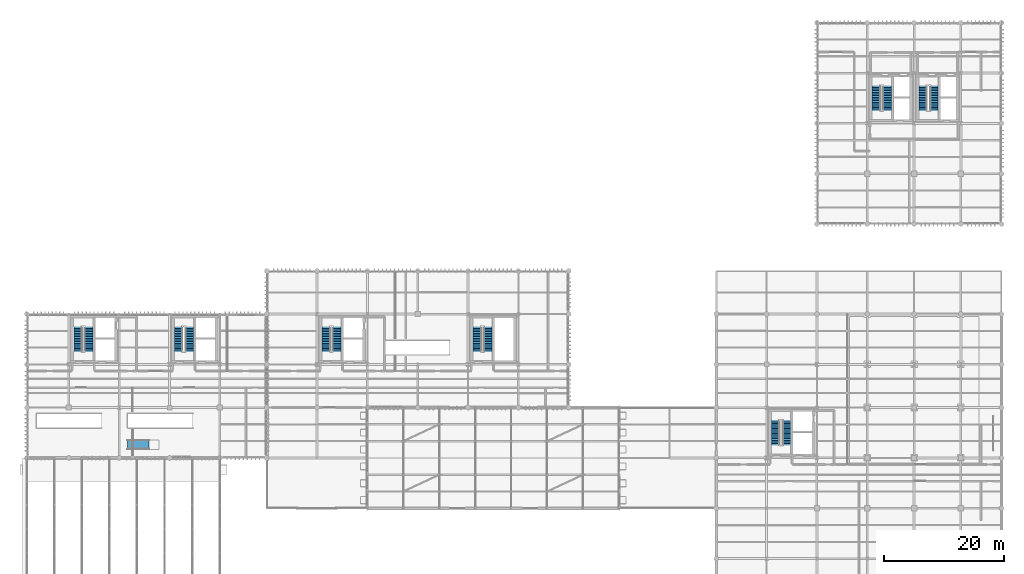
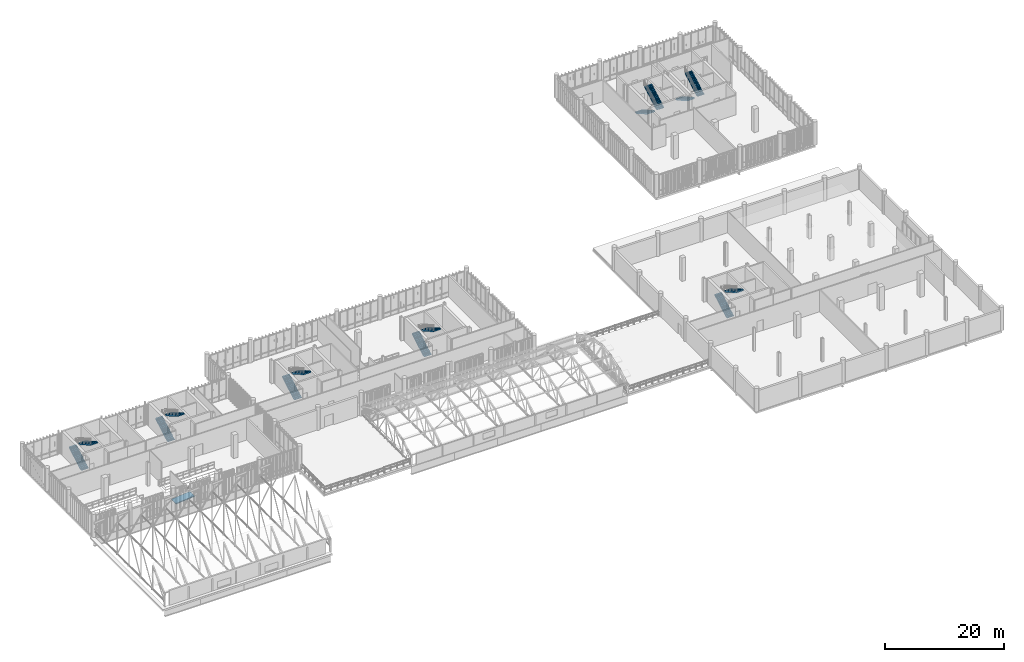
# One storey, part 97 of 109: 14 stair flights, 1 ramp flight, 8 elements without a shape of their own.
"""IFC4 building model written with IfcOpenShell, lengths in metres."""

from ifc_helpers import new_model, si_unit, direction, frame, origin_with_axes, place, context, subcontext, project, spatial, polyline, outline, extrude, material, type_object, element, aggregate, save


model = new_model("IFC4")

# Units and contexts
model_context = context("Model", 3, precision=1e-05, world=origin_with_axes(), true_north=direction((0.0, 1.0)))
body_context = subcontext(model_context, "Body", "Model", "MODEL_VIEW")
ifc_project = project(units=[si_unit("LENGTHUNIT", "METRE"), si_unit("AREAUNIT", "SQUARE_METRE"), si_unit("VOLUMEUNIT", "CUBIC_METRE"), si_unit("PLANEANGLEUNIT", "RADIAN"), si_unit("MASSUNIT", "GRAM", prefix="KILO"), si_unit("THERMODYNAMICTEMPERATUREUNIT", "KELVIN")], contexts=[model_context])

# Site, building, storey
site_placement = place(None, origin_with_axes())
site = spatial("IfcSite", under=ifc_project, at=site_placement, CompositionType="ELEMENT")
building_placement = place(site_placement, origin_with_axes())
building = spatial("IfcBuilding", under=site, at=building_placement, Name="Montbau Bow Law Courts", CompositionType="ELEMENT")
storey_placement = place(building_placement, frame((0.0, 0.0, 10.8), z_axis=(0.0, 0.0, 1.0), x_axis=(1.0, 0.0, 0.0)))
storey = spatial("IfcBuildingStorey", under=building, at=storey_placement, Name="L02", CompositionType="ELEMENT", Elevation=10.8)

# Stair, stair flights
ifc_material = material(Name="Concrete CSA A23.1 f'c 40 MPa", Category="concrete")
stair_type_1 = type_object("IfcStairType", Name="ST-JUD-1500", PredefinedType="HALF_TURN_STAIR", material=ifc_material)
stair_1_placement = place(None, frame((32.09, 48.3, 10.8), z_axis=(0.0, 0.0, 1.0), x_axis=(1.0, 0.0, 0.0)))
stair_1 = element("IfcStair", 1, at=stair_1_placement, inside=storey, type_object=stair_type_1, Name="ST-J1-L02:str_0012", PredefinedType="HALF_TURN_STAIR")
stair_flight_type_1 = type_object("IfcStairFlightType", Name="SF-RC-1500B", PredefinedType="STRAIGHT", material=ifc_material)
stair_flight_1_placement = place(None, frame((32.09, 48.3, 10.8), z_axis=(0.0, 0.0, 1.0), x_axis=(0.0, 1.0, 0.0)))
stair_flight_1 = element("IfcStairFlight", 2, at=stair_flight_1_placement, type_object=stair_flight_type_1, Name="ST-J1-L02-F1:str_0012_F1", NumberOfRisers=15, NumberOfTreads=14, PredefinedType="STRAIGHT", RiserHeight=0.16, TreadLength=0.28, context=body_context, shape_type="SweptSolid", body=[
    extrude(outline(polyline([(0.0, 0.0), (0.0, 0.16), (0.28, 0.16), (0.28, 0.32), (0.56, 0.32), (0.56, 0.48), (0.84, 0.48), (0.84, 0.64), (1.12, 0.64), (1.12, 0.8), (1.4, 0.8), (1.4, 0.96), (1.68, 0.96), (1.68, 1.12), (1.96, 1.12), (1.96, 1.28), (2.24, 1.28), (2.24, 1.44), (2.52, 1.44), (2.52, 1.6), (2.8, 1.6), (2.8, 1.76), (3.08, 1.76), (3.08, 1.92), (3.36, 1.92), (3.36, 2.08), (3.64, 2.08), (3.64, 2.24), (3.92, 2.24), (3.92, 2.4), (4.2, 2.4), (4.2, 2.158132), (0.423269, 0.0), (0.0, 0.0)])), frame((0.0, 0.67, 0.0), z_axis=(0.0, -1.0, 0.0), x_axis=(1.0, 0.0, 0.0)), (0.0, 0.0, 1.0), 1.34),
])
stair_flight_2_placement = place(None, frame((33.96, 52.5, 13.2), z_axis=(0.0, 0.0, 1.0), x_axis=(0.0, -1.0, 0.0)))
stair_flight_2 = element("IfcStairFlight", 3, at=stair_flight_2_placement, type_object=stair_flight_type_1, Name="ST-J1-L02-F2:str_0012_F2", NumberOfRisers=15, NumberOfTreads=14, PredefinedType="STRAIGHT", RiserHeight=0.16, TreadLength=0.28, context=body_context, shape_type="SweptSolid", body=[
    extrude(outline(polyline([(0.0, 0.0), (0.0, 0.16), (0.28, 0.16), (0.28, 0.32), (0.56, 0.32), (0.56, 0.48), (0.84, 0.48), (0.84, 0.64), (1.12, 0.64), (1.12, 0.8), (1.4, 0.8), (1.4, 0.96), (1.68, 0.96), (1.68, 1.12), (1.96, 1.12), (1.96, 1.28), (2.24, 1.28), (2.24, 1.44), (2.52, 1.44), (2.52, 1.6), (2.8, 1.6), (2.8, 1.76), (3.08, 1.76), (3.08, 1.92), (3.36, 1.92), (3.36, 2.08), (3.64, 2.08), (3.64, 2.24), (3.92, 2.24), (3.92, 2.4), (4.2, 2.4), (4.2, 2.158132), (0.423269, 0.0), (0.0, 0.0)])), frame((0.0, 0.67, 0.0), z_axis=(0.0, -1.0, 0.0), x_axis=(1.0, 0.0, 0.0)), (0.0, 0.0, 1.0), 1.34),
])
aggregate(stair_1, [stair_flight_1, stair_flight_2])

stair_2_placement = place(None, frame((156.29, 92.7, 10.8), z_axis=(0.0, 0.0, 1.0), x_axis=(1.0, 0.0, 0.0)))
stair_2 = element("IfcStair", 4, at=stair_2_placement, inside=storey, type_object=stair_type_1, Name="ST-J2-L02:str_0047", PredefinedType="HALF_TURN_STAIR")
stair_flight_3_placement = place(None, frame((156.29, 92.7, 10.8), z_axis=(0.0, 0.0, 1.0), x_axis=(0.0, -1.0, 0.0)))
stair_flight_3 = element("IfcStairFlight", 5, at=stair_flight_3_placement, type_object=stair_flight_type_1, Name="ST-J2-L02-F1:str_0047_F1", NumberOfRisers=15, NumberOfTreads=14, PredefinedType="STRAIGHT", RiserHeight=0.16, TreadLength=0.28, context=body_context, shape_type="SweptSolid", body=[
    extrude(outline(polyline([(0.0, 0.0), (0.0, 0.16), (0.28, 0.16), (0.28, 0.32), (0.56, 0.32), (0.56, 0.48), (0.84, 0.48), (0.84, 0.64), (1.12, 0.64), (1.12, 0.8), (1.4, 0.8), (1.4, 0.96), (1.68, 0.96), (1.68, 1.12), (1.96, 1.12), (1.96, 1.28), (2.24, 1.28), (2.24, 1.44), (2.52, 1.44), (2.52, 1.6), (2.8, 1.6), (2.8, 1.76), (3.08, 1.76), (3.08, 1.92), (3.36, 1.92), (3.36, 2.08), (3.64, 2.08), (3.64, 2.24), (3.92, 2.24), (3.92, 2.4), (4.2, 2.4), (4.2, 2.158132), (0.423269, 0.0), (0.0, 0.0)])), frame((0.0, 0.67, 0.0), z_axis=(0.0, -1.0, 0.0), x_axis=(1.0, 0.0, 0.0)), (0.0, 0.0, 1.0), 1.34),
])
stair_flight_4_placement = place(None, frame((158.16, 88.5, 13.2), z_axis=(0.0, 0.0, 1.0), x_axis=(0.0, 1.0, 0.0)))
stair_flight_4 = element("IfcStairFlight", 6, at=stair_flight_4_placement, type_object=stair_flight_type_1, Name="ST-J2-L02-F2:str_0047_F2", NumberOfRisers=15, NumberOfTreads=14, PredefinedType="STRAIGHT", RiserHeight=0.16, TreadLength=0.28, context=body_context, shape_type="SweptSolid", body=[
    extrude(outline(polyline([(0.0, 0.0), (0.0, 0.16), (0.28, 0.16), (0.28, 0.32), (0.56, 0.32), (0.56, 0.48), (0.84, 0.48), (0.84, 0.64), (1.12, 0.64), (1.12, 0.8), (1.4, 0.8), (1.4, 0.96), (1.68, 0.96), (1.68, 1.12), (1.96, 1.12), (1.96, 1.28), (2.24, 1.28), (2.24, 1.44), (2.52, 1.44), (2.52, 1.6), (2.8, 1.6), (2.8, 1.76), (3.08, 1.76), (3.08, 1.92), (3.36, 1.92), (3.36, 2.08), (3.64, 2.08), (3.64, 2.24), (3.92, 2.24), (3.92, 2.4), (4.2, 2.4), (4.2, 2.158132), (0.423269, 0.0), (0.0, 0.0)])), frame((0.0, 0.67, 0.0), z_axis=(0.0, -1.0, 0.0), x_axis=(1.0, 0.0, 0.0)), (0.0, 0.0, 1.0), 1.34),
])
aggregate(stair_2, [stair_flight_3, stair_flight_4])

stair_type_2 = type_object("IfcStairType", Name="ST-CUS-1500", PredefinedType="HALF_TURN_STAIR", material=ifc_material)
stair_3_placement = place(None, frame((131.69, 32.7, 10.8), z_axis=(0.0, 0.0, 1.0), x_axis=(1.0, 0.0, 0.0)))
stair_3 = element("IfcStair", 7, at=stair_3_placement, inside=storey, type_object=stair_type_2, Name="ST-C1-L02:str_0058", PredefinedType="HALF_TURN_STAIR")
stair_flight_5_placement = place(None, frame((131.69, 32.7, 10.8), z_axis=(0.0, 0.0, 1.0), x_axis=(0.0, 1.0, 0.0)))
stair_flight_5 = element("IfcStairFlight", 8, at=stair_flight_5_placement, type_object=stair_flight_type_1, Name="ST-C1-L02-F1:str_0058_F1", NumberOfRisers=15, NumberOfTreads=14, PredefinedType="STRAIGHT", RiserHeight=0.16, TreadLength=0.28, context=body_context, shape_type="SweptSolid", body=[
    extrude(outline(polyline([(0.0, 0.0), (0.0, 0.16), (0.28, 0.16), (0.28, 0.32), (0.56, 0.32), (0.56, 0.48), (0.84, 0.48), (0.84, 0.64), (1.12, 0.64), (1.12, 0.8), (1.4, 0.8), (1.4, 0.96), (1.68, 0.96), (1.68, 1.12), (1.96, 1.12), (1.96, 1.28), (2.24, 1.28), (2.24, 1.44), (2.52, 1.44), (2.52, 1.6), (2.8, 1.6), (2.8, 1.76), (3.08, 1.76), (3.08, 1.92), (3.36, 1.92), (3.36, 2.08), (3.64, 2.08), (3.64, 2.24), (3.92, 2.24), (3.92, 2.4), (4.2, 2.4), (4.2, 2.158132), (0.423269, 0.0), (0.0, 0.0)])), frame((0.0, 0.67, 0.0), z_axis=(0.0, -1.0, 0.0), x_axis=(1.0, 0.0, 0.0)), (0.0, 0.0, 1.0), 1.34),
])
stair_flight_6_placement = place(None, frame((133.56, 36.9, 13.2), z_axis=(0.0, 0.0, 1.0), x_axis=(0.0, -1.0, 0.0)))
stair_flight_6 = element("IfcStairFlight", 9, at=stair_flight_6_placement, type_object=stair_flight_type_1, Name="ST-C1-L02-F2:str_0058_F2", NumberOfRisers=15, NumberOfTreads=14, PredefinedType="STRAIGHT", RiserHeight=0.16, TreadLength=0.28, context=body_context, shape_type="SweptSolid", body=[
    extrude(outline(polyline([(0.0, 0.0), (0.0, 0.16), (0.28, 0.16), (0.28, 0.32), (0.56, 0.32), (0.56, 0.48), (0.84, 0.48), (0.84, 0.64), (1.12, 0.64), (1.12, 0.8), (1.4, 0.8), (1.4, 0.96), (1.68, 0.96), (1.68, 1.12), (1.96, 1.12), (1.96, 1.28), (2.24, 1.28), (2.24, 1.44), (2.52, 1.44), (2.52, 1.6), (2.8, 1.6), (2.8, 1.76), (3.08, 1.76), (3.08, 1.92), (3.36, 1.92), (3.36, 2.08), (3.64, 2.08), (3.64, 2.24), (3.92, 2.24), (3.92, 2.4), (4.2, 2.4), (4.2, 2.158132), (0.423269, 0.0), (0.0, 0.0)])), frame((0.0, 0.67, 0.0), z_axis=(0.0, -1.0, 0.0), x_axis=(1.0, 0.0, 0.0)), (0.0, 0.0, 1.0), 1.34),
])
aggregate(stair_3, [stair_flight_5, stair_flight_6])

stair_type_3 = type_object("IfcStairType", Name="ST-PUB-1800", PredefinedType="HALF_TURN_STAIR", material=ifc_material)
stair_4_placement = place(None, frame((15.33, 48.3, 10.8), z_axis=(0.0, 0.0, 1.0), x_axis=(1.0, 0.0, 0.0)))
stair_4 = element("IfcStair", 10, at=stair_4_placement, inside=storey, type_object=stair_type_3, Name="ST-P1-L02:str_0004", PredefinedType="HALF_TURN_STAIR")
stair_flight_type_2 = type_object("IfcStairFlightType", Name="SF-RC-1800B", PredefinedType="STRAIGHT", material=ifc_material)
stair_flight_7_placement = place(None, frame((15.33, 48.3, 10.8), z_axis=(0.0, 0.0, 1.0), x_axis=(0.0, 1.0, 0.0)))
stair_flight_7 = element("IfcStairFlight", 11, at=stair_flight_7_placement, type_object=stair_flight_type_2, Name="ST-P1-L02-F1:str_0004_F1", NumberOfRisers=15, NumberOfTreads=14, PredefinedType="STRAIGHT", RiserHeight=0.16, TreadLength=0.28, context=body_context, shape_type="SweptSolid", body=[
    extrude(outline(polyline([(0.0, 0.0), (0.0, 0.16), (0.28, 0.16), (0.28, 0.32), (0.56, 0.32), (0.56, 0.48), (0.84, 0.48), (0.84, 0.64), (1.12, 0.64), (1.12, 0.8), (1.4, 0.8), (1.4, 0.96), (1.68, 0.96), (1.68, 1.12), (1.96, 1.12), (1.96, 1.28), (2.24, 1.28), (2.24, 1.44), (2.52, 1.44), (2.52, 1.6), (2.8, 1.6), (2.8, 1.76), (3.08, 1.76), (3.08, 1.92), (3.36, 1.92), (3.36, 2.08), (3.64, 2.08), (3.64, 2.24), (3.92, 2.24), (3.92, 2.4), (4.2, 2.4), (4.2, 2.158132), (0.423269, 0.0), (0.0, 0.0)])), frame((0.0, 0.71, 0.0), z_axis=(0.0, -1.0, 0.0), x_axis=(1.0, 0.0, 0.0)), (0.0, 0.0, 1.0), 1.42),
])
stair_flight_8_placement = place(None, frame((17.12, 52.5, 13.2), z_axis=(0.0, 0.0, 1.0), x_axis=(0.0, -1.0, 0.0)))
stair_flight_8 = element("IfcStairFlight", 12, at=stair_flight_8_placement, type_object=stair_flight_type_2, Name="ST-P1-L02-F2:str_0004_F2", NumberOfRisers=15, NumberOfTreads=14, PredefinedType="STRAIGHT", RiserHeight=0.16, TreadLength=0.28, context=body_context, shape_type="SweptSolid", body=[
    extrude(outline(polyline([(0.0, 0.0), (0.0, 0.16), (0.28, 0.16), (0.28, 0.32), (0.56, 0.32), (0.56, 0.48), (0.84, 0.48), (0.84, 0.64), (1.12, 0.64), (1.12, 0.8), (1.4, 0.8), (1.4, 0.96), (1.68, 0.96), (1.68, 1.12), (1.96, 1.12), (1.96, 1.28), (2.24, 1.28), (2.24, 1.44), (2.52, 1.44), (2.52, 1.6), (2.8, 1.6), (2.8, 1.76), (3.08, 1.76), (3.08, 1.92), (3.36, 1.92), (3.36, 2.08), (3.64, 2.08), (3.64, 2.24), (3.92, 2.24), (3.92, 2.4), (4.2, 2.4), (4.2, 2.158132), (0.423269, 0.0), (0.0, 0.0)])), frame((0.0, 0.71, 0.0), z_axis=(0.0, -1.0, 0.0), x_axis=(1.0, 0.0, 0.0)), (0.0, 0.0, 1.0), 1.42),
])
aggregate(stair_4, [stair_flight_7, stair_flight_8])

stair_5_placement = place(None, frame((56.73, 48.3, 10.8), z_axis=(0.0, 0.0, 1.0), x_axis=(1.0, 0.0, 0.0)))
stair_5 = element("IfcStair", 13, at=stair_5_placement, inside=storey, type_object=stair_type_3, Name="ST-P4-L02:str_0020", PredefinedType="HALF_TURN_STAIR")
stair_flight_9_placement = place(None, frame((56.73, 48.3, 10.8), z_axis=(0.0, 0.0, 1.0), x_axis=(0.0, 1.0, 0.0)))
stair_flight_9 = element("IfcStairFlight", 14, at=stair_flight_9_placement, type_object=stair_flight_type_2, Name="ST-P4-L02-F1:str_0020_F1", NumberOfRisers=15, NumberOfTreads=14, PredefinedType="STRAIGHT", RiserHeight=0.16, TreadLength=0.28, context=body_context, shape_type="SweptSolid", body=[
    extrude(outline(polyline([(0.0, 0.0), (0.0, 0.16), (0.28, 0.16), (0.28, 0.32), (0.56, 0.32), (0.56, 0.48), (0.84, 0.48), (0.84, 0.64), (1.12, 0.64), (1.12, 0.8), (1.4, 0.8), (1.4, 0.96), (1.68, 0.96), (1.68, 1.12), (1.96, 1.12), (1.96, 1.28), (2.24, 1.28), (2.24, 1.44), (2.52, 1.44), (2.52, 1.6), (2.8, 1.6), (2.8, 1.76), (3.08, 1.76), (3.08, 1.92), (3.36, 1.92), (3.36, 2.08), (3.64, 2.08), (3.64, 2.24), (3.92, 2.24), (3.92, 2.4), (4.2, 2.4), (4.2, 2.158132), (0.423269, 0.0), (0.0, 0.0)])), frame((0.0, 0.71, 0.0), z_axis=(0.0, -1.0, 0.0), x_axis=(1.0, 0.0, 0.0)), (0.0, 0.0, 1.0), 1.42),
])
stair_flight_10_placement = place(None, frame((58.52, 52.5, 13.2), z_axis=(0.0, 0.0, 1.0), x_axis=(0.0, -1.0, 0.0)))
stair_flight_10 = element("IfcStairFlight", 15, at=stair_flight_10_placement, type_object=stair_flight_type_2, Name="ST-P4-L02-F2:str_0020_F2", NumberOfRisers=15, NumberOfTreads=14, PredefinedType="STRAIGHT", RiserHeight=0.16, TreadLength=0.28, context=body_context, shape_type="SweptSolid", body=[
    extrude(outline(polyline([(0.0, 0.0), (0.0, 0.16), (0.28, 0.16), (0.28, 0.32), (0.56, 0.32), (0.56, 0.48), (0.84, 0.48), (0.84, 0.64), (1.12, 0.64), (1.12, 0.8), (1.4, 0.8), (1.4, 0.96), (1.68, 0.96), (1.68, 1.12), (1.96, 1.12), (1.96, 1.28), (2.24, 1.28), (2.24, 1.44), (2.52, 1.44), (2.52, 1.6), (2.8, 1.6), (2.8, 1.76), (3.08, 1.76), (3.08, 1.92), (3.36, 1.92), (3.36, 2.08), (3.64, 2.08), (3.64, 2.24), (3.92, 2.24), (3.92, 2.4), (4.2, 2.4), (4.2, 2.158132), (0.423269, 0.0), (0.0, 0.0)])), frame((0.0, 0.71, 0.0), z_axis=(0.0, -1.0, 0.0), x_axis=(1.0, 0.0, 0.0)), (0.0, 0.0, 1.0), 1.42),
])
aggregate(stair_5, [stair_flight_9, stair_flight_10])

stair_6_placement = place(None, frame((81.93, 48.3, 10.8), z_axis=(0.0, 0.0, 1.0), x_axis=(1.0, 0.0, 0.0)))
stair_6 = element("IfcStair", 16, at=stair_6_placement, inside=storey, type_object=stair_type_3, Name="ST-P3-L02:str_0028", PredefinedType="HALF_TURN_STAIR")
stair_flight_11_placement = place(None, frame((81.93, 48.3, 10.8), z_axis=(0.0, 0.0, 1.0), x_axis=(0.0, 1.0, 0.0)))
stair_flight_11 = element("IfcStairFlight", 17, at=stair_flight_11_placement, type_object=stair_flight_type_2, Name="ST-P3-L02-F1:str_0028_F1", NumberOfRisers=15, NumberOfTreads=14, PredefinedType="STRAIGHT", RiserHeight=0.16, TreadLength=0.28, context=body_context, shape_type="SweptSolid", body=[
    extrude(outline(polyline([(0.0, 0.0), (0.0, 0.16), (0.28, 0.16), (0.28, 0.32), (0.56, 0.32), (0.56, 0.48), (0.84, 0.48), (0.84, 0.64), (1.12, 0.64), (1.12, 0.8), (1.4, 0.8), (1.4, 0.96), (1.68, 0.96), (1.68, 1.12), (1.96, 1.12), (1.96, 1.28), (2.24, 1.28), (2.24, 1.44), (2.52, 1.44), (2.52, 1.6), (2.8, 1.6), (2.8, 1.76), (3.08, 1.76), (3.08, 1.92), (3.36, 1.92), (3.36, 2.08), (3.64, 2.08), (3.64, 2.24), (3.92, 2.24), (3.92, 2.4), (4.2, 2.4), (4.2, 2.158132), (0.423269, 0.0), (0.0, 0.0)])), frame((0.0, 0.71, 0.0), z_axis=(0.0, -1.0, 0.0), x_axis=(1.0, 0.0, 0.0)), (0.0, 0.0, 1.0), 1.42),
])
stair_flight_12_placement = place(None, frame((83.72, 52.5, 13.2), z_axis=(0.0, 0.0, 1.0), x_axis=(0.0, -1.0, 0.0)))
stair_flight_12 = element("IfcStairFlight", 18, at=stair_flight_12_placement, type_object=stair_flight_type_2, Name="ST-P3-L02-F2:str_0028_F2", NumberOfRisers=15, NumberOfTreads=14, PredefinedType="STRAIGHT", RiserHeight=0.16, TreadLength=0.28, context=body_context, shape_type="SweptSolid", body=[
    extrude(outline(polyline([(0.0, 0.0), (0.0, 0.16), (0.28, 0.16), (0.28, 0.32), (0.56, 0.32), (0.56, 0.48), (0.84, 0.48), (0.84, 0.64), (1.12, 0.64), (1.12, 0.8), (1.4, 0.8), (1.4, 0.96), (1.68, 0.96), (1.68, 1.12), (1.96, 1.12), (1.96, 1.28), (2.24, 1.28), (2.24, 1.44), (2.52, 1.44), (2.52, 1.6), (2.8, 1.6), (2.8, 1.76), (3.08, 1.76), (3.08, 1.92), (3.36, 1.92), (3.36, 2.08), (3.64, 2.08), (3.64, 2.24), (3.92, 2.24), (3.92, 2.4), (4.2, 2.4), (4.2, 2.158132), (0.423269, 0.0), (0.0, 0.0)])), frame((0.0, 0.71, 0.0), z_axis=(0.0, -1.0, 0.0), x_axis=(1.0, 0.0, 0.0)), (0.0, 0.0, 1.0), 1.42),
])
aggregate(stair_6, [stair_flight_11, stair_flight_12])

stair_7_placement = place(None, frame((148.53, 92.7, 10.8), z_axis=(0.0, 0.0, 1.0), x_axis=(1.0, 0.0, 0.0)))
stair_7 = element("IfcStair", 19, at=stair_7_placement, inside=storey, type_object=stair_type_3, Name="ST-P2-L02:str_0036", PredefinedType="HALF_TURN_STAIR")
stair_flight_13_placement = place(None, frame((148.53, 92.7, 10.8), z_axis=(0.0, 0.0, 1.0), x_axis=(0.0, -1.0, 0.0)))
stair_flight_13 = element("IfcStairFlight", 20, at=stair_flight_13_placement, type_object=stair_flight_type_2, Name="ST-P2-L02-F1:str_0036_F1", NumberOfRisers=15, NumberOfTreads=14, PredefinedType="STRAIGHT", RiserHeight=0.16, TreadLength=0.28, context=body_context, shape_type="SweptSolid", body=[
    extrude(outline(polyline([(0.0, 0.0), (0.0, 0.16), (0.28, 0.16), (0.28, 0.32), (0.56, 0.32), (0.56, 0.48), (0.84, 0.48), (0.84, 0.64), (1.12, 0.64), (1.12, 0.8), (1.4, 0.8), (1.4, 0.96), (1.68, 0.96), (1.68, 1.12), (1.96, 1.12), (1.96, 1.28), (2.24, 1.28), (2.24, 1.44), (2.52, 1.44), (2.52, 1.6), (2.8, 1.6), (2.8, 1.76), (3.08, 1.76), (3.08, 1.92), (3.36, 1.92), (3.36, 2.08), (3.64, 2.08), (3.64, 2.24), (3.92, 2.24), (3.92, 2.4), (4.2, 2.4), (4.2, 2.158132), (0.423269, 0.0), (0.0, 0.0)])), frame((0.0, 0.71, 0.0), z_axis=(0.0, -1.0, 0.0), x_axis=(1.0, 0.0, 0.0)), (0.0, 0.0, 1.0), 1.42),
])
stair_flight_14_placement = place(None, frame((150.32, 88.5, 13.2), z_axis=(0.0, 0.0, 1.0), x_axis=(0.0, 1.0, 0.0)))
stair_flight_14 = element("IfcStairFlight", 21, at=stair_flight_14_placement, type_object=stair_flight_type_2, Name="ST-P2-L02-F2:str_0036_F2", NumberOfRisers=15, NumberOfTreads=14, PredefinedType="STRAIGHT", RiserHeight=0.16, TreadLength=0.28, context=body_context, shape_type="SweptSolid", body=[
    extrude(outline(polyline([(0.0, 0.0), (0.0, 0.16), (0.28, 0.16), (0.28, 0.32), (0.56, 0.32), (0.56, 0.48), (0.84, 0.48), (0.84, 0.64), (1.12, 0.64), (1.12, 0.8), (1.4, 0.8), (1.4, 0.96), (1.68, 0.96), (1.68, 1.12), (1.96, 1.12), (1.96, 1.28), (2.24, 1.28), (2.24, 1.44), (2.52, 1.44), (2.52, 1.6), (2.8, 1.6), (2.8, 1.76), (3.08, 1.76), (3.08, 1.92), (3.36, 1.92), (3.36, 2.08), (3.64, 2.08), (3.64, 2.24), (3.92, 2.24), (3.92, 2.4), (4.2, 2.4), (4.2, 2.158132), (0.423269, 0.0), (0.0, 0.0)])), frame((0.0, 0.71, 0.0), z_axis=(0.0, -1.0, 0.0), x_axis=(1.0, 0.0, 0.0)), (0.0, 0.0, 1.0), 1.42),
])
aggregate(stair_7, [stair_flight_13, stair_flight_14])

# Ramp, ramp flight
ramp_type = type_object("IfcRampType", Name="RMP-PED-01", PredefinedType="STRAIGHT_RUN_RAMP", material=ifc_material)
ramp_placement = place(None, frame((23.6, 32.8, 10.8), z_axis=(0.0, 0.0, 1.0), x_axis=(1.0, 0.0, 0.0)))
ramp = element("IfcRamp", 22, at=ramp_placement, inside=storey, type_object=ramp_type, Name="Criminal Courtroom Dais Barrier-Free Ramp R-BF3", PredefinedType="STRAIGHT_RUN_RAMP")
ramp_flight_type = type_object("IfcRampFlightType", Name="RMF-PED-01", PredefinedType="STRAIGHT", material=ifc_material)
ramp_flight_placement = place(None, frame((23.6, 32.8, 10.8), z_axis=(0.0, 0.0, 1.0), x_axis=(1.0, 0.0, 0.0)))
ramp_flight = element("IfcRampFlight", 23, at=ramp_flight_placement, type_object=ramp_flight_type, Name="Criminal Courtroom Dais Barrier-Free Ramp R-BF3 flight", PredefinedType="STRAIGHT", context=body_context, shape_type="SweptSolid", body=[
    extrude(outline(polyline([(0.0, 0.0), (3.6, 0.3), (3.6, 0.12), (0.0, -0.18), (0.0, 0.0)])), frame((0.0, 0.775, 0.0), z_axis=(0.0, -1.0, 0.0), x_axis=(1.0, 0.0, 0.0)), (0.0, 0.0, 1.0), 1.55),
])
aggregate(ramp, [ramp_flight])

save(model, "model.ifc")
